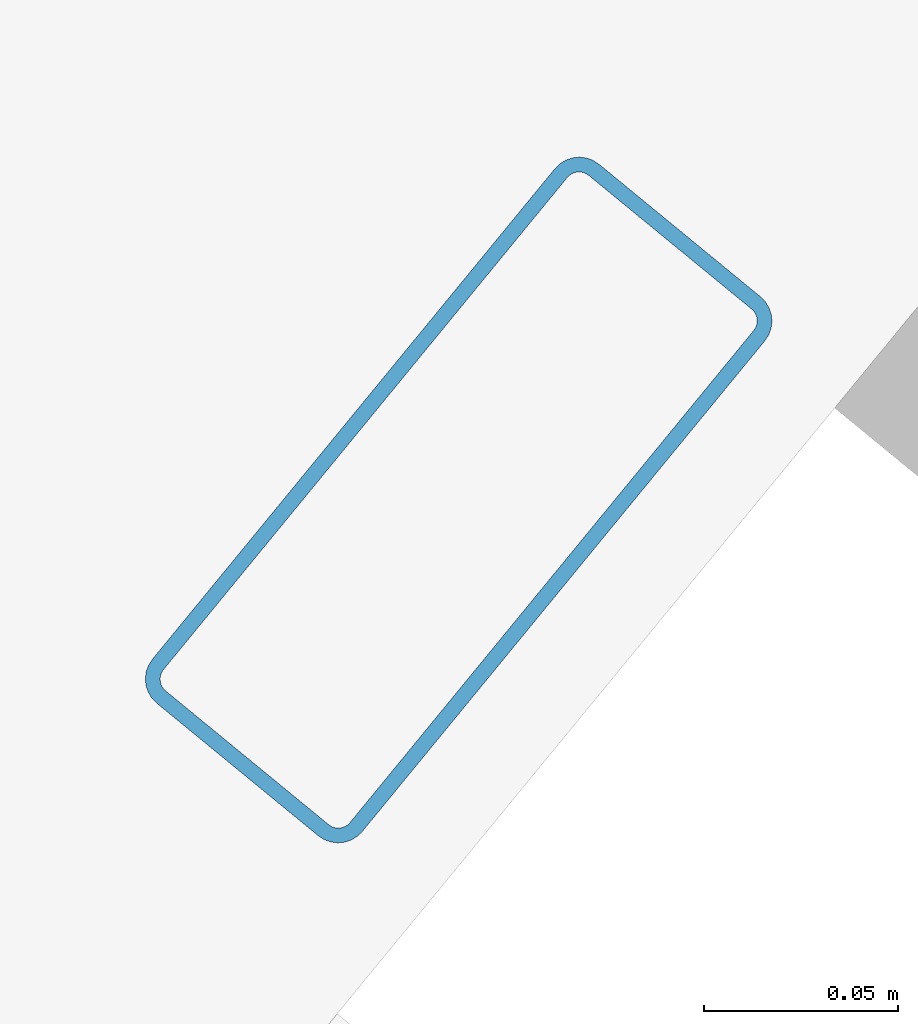
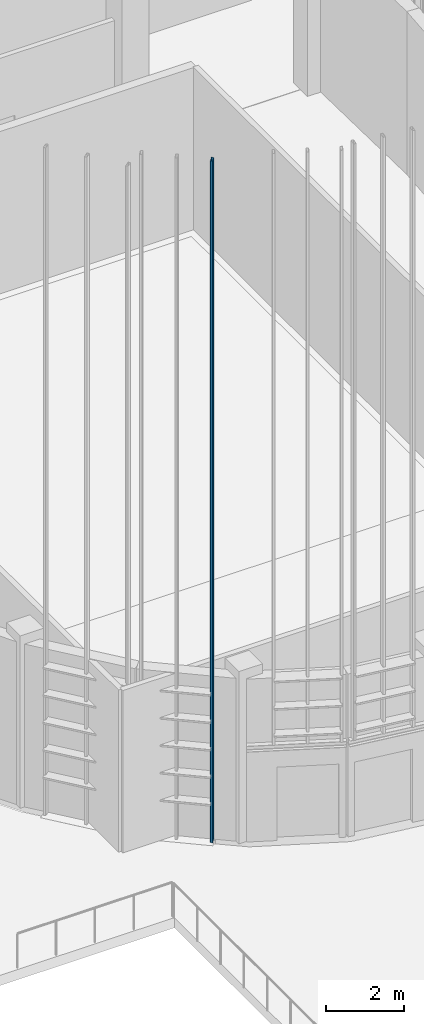
# One storey, part 133 of 372: 1 member.
"""IFC4 building model written with IfcOpenShell, lengths in metres."""

from ifc_helpers import new_model, si_unit, direction, frame, origin, origin_2d, place, context, subcontext, project, spatial, hollow_rectangle, extrude, material, material_profile, profile_set, type_object, element, save


model = new_model("IFC4")

# Units and contexts
model_context = context("Model", 3, precision=1e-05, world=origin(), true_north=direction((0.0, 1.0)))
body_context = subcontext(model_context, "Body", "Model", "MODEL_VIEW")
ifc_project = project(units=[si_unit("LENGTHUNIT", "METRE"), si_unit("AREAUNIT", "SQUARE_METRE"), si_unit("VOLUMEUNIT", "CUBIC_METRE"), si_unit("PLANEANGLEUNIT", "RADIAN"), si_unit("MASSUNIT", "GRAM", prefix="KILO")], contexts=[model_context])

# Site, building, storey
site_placement = place(None, origin())
site = spatial("IfcSite", under=ifc_project, at=site_placement, CompositionType="ELEMENT")
building_placement = place(site_placement, origin())
building = spatial("IfcBuilding", under=site, at=building_placement, Name="Kaelora Sail Theatre", CompositionType="ELEMENT")
storey_placement = place(building_placement, origin())
storey = spatial("IfcBuildingStorey", under=building, at=storey_placement, Name="L00", CompositionType="ELEMENT", Elevation=0.0)

# Member
ifc_material = material(Name="Anodised aluminium 6063-T6", Category="aluminium")
ifc_material_profile = material_profile(ifc_material, hollow_rectangle(XDim=0.070068359375, YDim=0.179931640625, WallThickness=0.00390625, InnerFilletRadius=0.00390625, OuterFilletRadius=0.008056640625, at=origin_2d()), Name="ALU-MULL 70x180x4")
ifc_profile_set = profile_set([ifc_material_profile], Name="Anodised aluminium 6063-T6")
member_type = type_object("IfcMemberType", Name="ARC-MEM-PST-160", PredefinedType="POST", material=ifc_profile_set)
member_placement = place(storey_placement, frame((85.054443359375, 33.045654296875, 0.0), z_axis=(0.0, 0.0, 1.0), x_axis=(-0.773065811677, 0.63432582386, 0.0)))
element("IfcMember", 1, at=member_placement, inside=storey, type_object=member_type, Name="Studio Theatre Sail Drum solar louvre vertical support post C13-1", PredefinedType="POST", context=body_context, shape_type="SweptSolid", body=[
    extrude(hollow_rectangle(XDim=0.070068359375, YDim=0.179931640625, WallThickness=0.00390625, InnerFilletRadius=0.00390625, OuterFilletRadius=0.008056640625, at=origin_2d()), origin(), (0.0, 0.0, 1.0), 21.35986328125),
])

save(model, "model.ifc")
